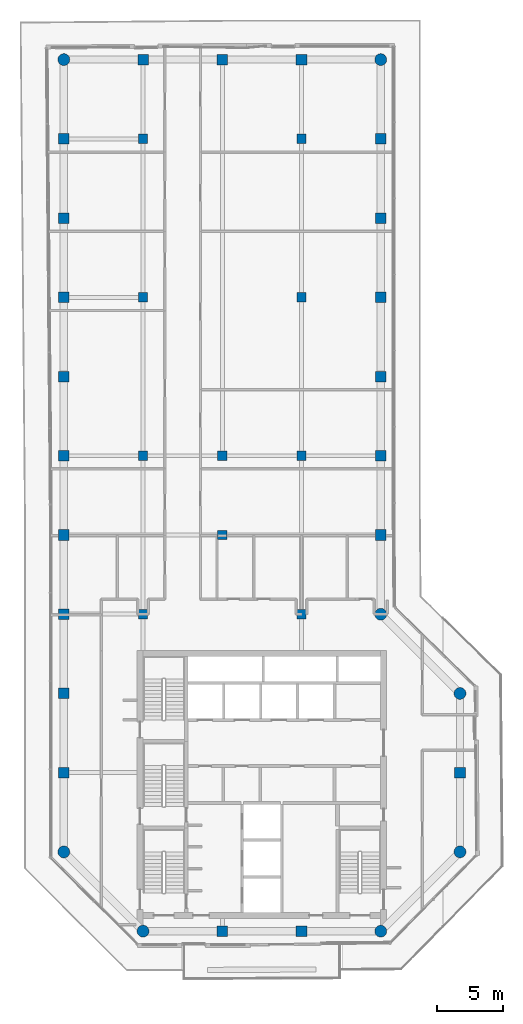
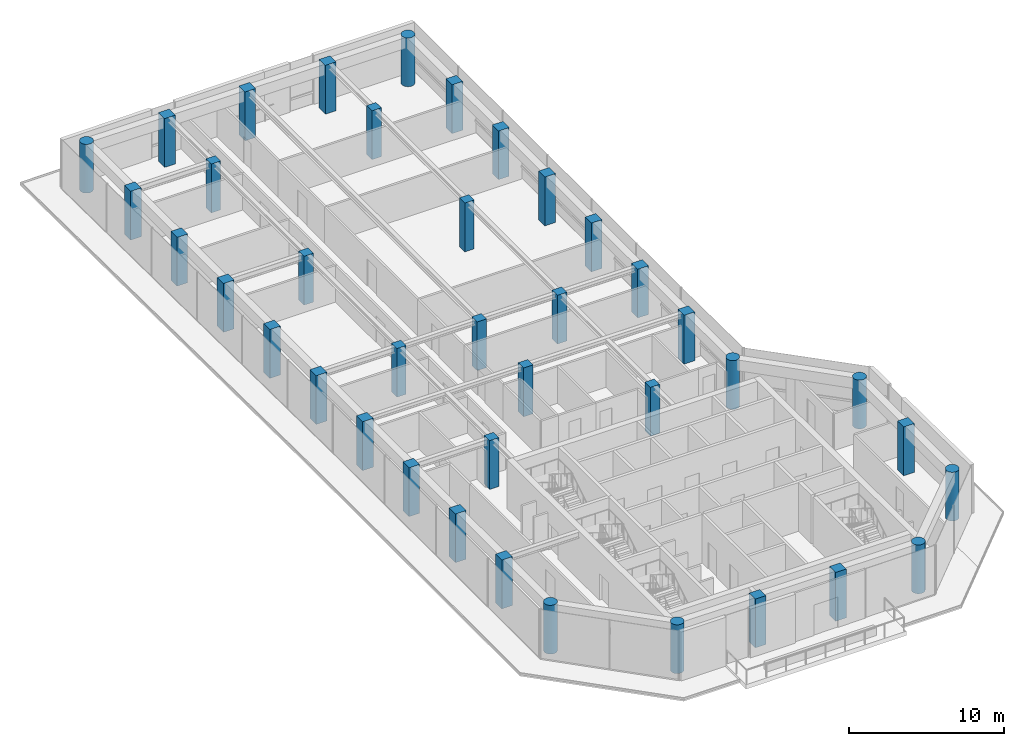
# One storey, part 1 of 19: 39 columns.
"""IFC4 building model written with IfcOpenShell, lengths in metres."""

from ifc_helpers import new_model, si_unit, direction, frame, origin, origin_2d, place, context, subcontext, project, spatial, rectangle, circle, extrude, material, material_profile, profile_set, type_object, element, save


model = new_model("IFC4")

# Units and contexts
model_context = context("Model", 3, precision=1e-05, world=origin(), true_north=direction((0.0, 1.0)))
body_context = subcontext(model_context, "Body", "Model", "MODEL_VIEW")
ifc_project = project(units=[si_unit("LENGTHUNIT", "METRE"), si_unit("AREAUNIT", "SQUARE_METRE"), si_unit("VOLUMEUNIT", "CUBIC_METRE"), si_unit("PLANEANGLEUNIT", "RADIAN"), si_unit("MASSUNIT", "GRAM", prefix="KILO")], contexts=[model_context])

# Site, building, storey
site_placement = place(None, origin())
site = spatial("IfcSite", under=ifc_project, at=site_placement, CompositionType="ELEMENT")
building_placement = place(site_placement, origin())
building = spatial("IfcBuilding", under=site, at=building_placement, Name="Welwitschia Terrace Campus", CompositionType="ELEMENT")
storey_placement = place(building_placement, frame((0.0, 0.0, 226.39990234375)))
storey = spatial("IfcBuildingStorey", under=building, at=storey_placement, Name="L50", CompositionType="ELEMENT", Elevation=226.39990234375)

# Columns
ifc_material_1 = material(Name="Concrete C50/60", Category="concrete")
ifc_material_profile_1 = material_profile(ifc_material_1, circle(Radius=0.449951171875, at=origin_2d()))
ifc_profile_set_1 = profile_set([ifc_material_profile_1], Name="Concrete C50/60")
column_type_1 = type_object("IfcColumnType", Name="Corner column 900 dia", PredefinedType="COLUMN", material=ifc_profile_set_1)
for number, where, z_axis, x_axis, name in (
    (1, (0.0, 10.0, 0.0), (0.0, 0.0, 1.0), (1.0, 0.0, 0.0), "Column C32"),
    (2, (0.0, 70.0, 0.0), (0.0, 0.0, 1.0), (1.0, 0.0, 0.0), "Column C32"),
    (3, (6.0, 4.0, 0.0), (0.0, 0.0, 1.0), (1.0, 0.0, 0.0), "Column C32"),
    (4, (24.0, 4.0, 0.0), (0.0, 0.0, 1.0), (1.0, 0.0, 0.0), "Column C32"),
    (5, (24.0, 28.0, 0.0), (0.0, 0.0, 1.0), (1.0, 0.0, 0.0), "Column C32"),
    (6, (24.0, 70.0, 0.0), (0.0, 0.0, 1.0), (1.0, 0.0, 0.0), "Column C32"),
    (7, (30.0, 10.0, 0.0), (0.0, 0.0, 1.0), (1.0, 0.0, 0.0), "Column C32"),
    (8, (30.0, 22.0, 0.0), (0.0, 0.0, 1.0), (1.0, 0.0, 0.0), "Column C32"),
):
    element("IfcColumn", number, at=place(storey_placement, frame(where, z_axis=z_axis, x_axis=x_axis)), inside=storey, type_object=column_type_1, Name=name, PredefinedType="COLUMN", context=body_context, shape_type="SweptSolid", body=[
        extrude(circle(Radius=0.449951171875, at=origin_2d()), origin(), (0.0, 0.0, 1.0), 3.85009765625),
    ])
ifc_material_2 = material(Name="Concrete C50/60", Category="concrete")
ifc_material_profile_2 = material_profile(ifc_material_2, rectangle(XDim=0.699951171875, YDim=0.699951171875, at=origin_2d()))
ifc_profile_set_2 = profile_set([ifc_material_profile_2], Name="Concrete C50/60")
column_type_2 = type_object("IfcColumnType", Name="Interior column 700x700", PredefinedType="COLUMN", material=ifc_profile_set_2)
for number, where, z_axis, x_axis, name in (
    (9, (6.0, 28.0, 0.0), (0.0, 0.0, 1.0), (1.0, 0.0, 0.0), "Column C34"),
    (10, (6.0, 40.0, 0.0), (0.0, 0.0, 1.0), (1.0, 0.0, 0.0), "Column C34"),
    (11, (6.0, 52.0, 0.0), (0.0, 0.0, 1.0), (1.0, 0.0, 0.0), "Column C34"),
    (12, (6.0, 64.0, 0.0), (0.0, 0.0, 1.0), (1.0, 0.0, 0.0), "Column C34"),
    (13, (12.0, 34.0, 0.0), (0.0, 0.0, 1.0), (1.0, 0.0, 0.0), "Column C34"),
    (14, (12.0, 40.0, 0.0), (0.0, 0.0, 1.0), (1.0, 0.0, 0.0), "Column C34"),
    (15, (18.0, 28.0, 0.0), (0.0, 0.0, 1.0), (1.0, 0.0, 0.0), "Column C34"),
    (16, (18.0, 40.0, 0.0), (0.0, 0.0, 1.0), (1.0, 0.0, 0.0), "Column C34"),
    (17, (18.0, 52.0, 0.0), (0.0, 0.0, 1.0), (1.0, 0.0, 0.0), "Column C34"),
    (18, (18.0, 64.0, 0.0), (0.0, 0.0, 1.0), (1.0, 0.0, 0.0), "Column C34"),
):
    element("IfcColumn", number, at=place(storey_placement, frame(where, z_axis=z_axis, x_axis=x_axis)), inside=storey, type_object=column_type_2, Name=name, PredefinedType="COLUMN", context=body_context, shape_type="SweptSolid", body=[
        extrude(rectangle(XDim=0.699951171875, YDim=0.699951171875, at=origin_2d()), origin(), (0.0, 0.0, 1.0), 3.85009765625),
    ])
ifc_material_3 = material(Name="Concrete C50/60", Category="concrete")
ifc_material_profile_3 = material_profile(ifc_material_3, rectangle(XDim=0.800048828125, YDim=0.800048828125, at=origin_2d()))
ifc_profile_set_3 = profile_set([ifc_material_profile_3], Name="Concrete C50/60")
column_type_3 = type_object("IfcColumnType", Name="Ring column 800x800", PredefinedType="COLUMN", material=ifc_profile_set_3)
for number, where, z_axis, x_axis, name in (
    (19, (0.0, 16.0, 0.0), (0.0, 0.0, 1.0), (1.0, 0.0, 0.0), "Column C33"),
    (20, (0.0, 22.0, 0.0), (0.0, 0.0, 1.0), (1.0, 0.0, 0.0), "Column C33"),
    (21, (0.0, 28.0, 0.0), (0.0, 0.0, 1.0), (1.0, 0.0, 0.0), "Column C33"),
    (22, (0.0, 34.0, 0.0), (0.0, 0.0, 1.0), (1.0, 0.0, 0.0), "Column C33"),
    (23, (0.0, 40.0, 0.0), (0.0, 0.0, 1.0), (1.0, 0.0, 0.0), "Column C33"),
    (24, (0.0, 46.0, 0.0), (0.0, 0.0, 1.0), (1.0, 0.0, 0.0), "Column C33"),
    (25, (0.0, 52.0, 0.0), (0.0, 0.0, 1.0), (1.0, 0.0, 0.0), "Column C33"),
    (26, (0.0, 58.0, 0.0), (0.0, 0.0, 1.0), (1.0, 0.0, 0.0), "Column C33"),
    (27, (0.0, 64.0, 0.0), (0.0, 0.0, 1.0), (1.0, 0.0, 0.0), "Column C33"),
    (28, (6.0, 70.0, 0.0), (0.0, 0.0, 1.0), (1.0, 0.0, 0.0), "Column C33"),
    (29, (12.0, 4.0, 0.0), (0.0, 0.0, 1.0), (1.0, 0.0, 0.0), "Column C33"),
    (30, (12.0, 70.0, 0.0), (0.0, 0.0, 1.0), (1.0, 0.0, 0.0), "Column C33"),
    (31, (18.0, 4.0, 0.0), (0.0, 0.0, 1.0), (1.0, 0.0, 0.0), "Column C33"),
    (32, (18.0, 70.0, 0.0), (0.0, 0.0, 1.0), (1.0, 0.0, 0.0), "Column C33"),
    (33, (24.0, 34.0, 0.0), (0.0, 0.0, 1.0), (1.0, 0.0, 0.0), "Column C33"),
    (34, (24.0, 40.0, 0.0), (0.0, 0.0, 1.0), (1.0, 0.0, 0.0), "Column C33"),
    (35, (24.0, 46.0, 0.0), (0.0, 0.0, 1.0), (1.0, 0.0, 0.0), "Column C33"),
    (36, (24.0, 52.0, 0.0), (0.0, 0.0, 1.0), (1.0, 0.0, 0.0), "Column C33"),
    (37, (24.0, 58.0, 0.0), (0.0, 0.0, 1.0), (1.0, 0.0, 0.0), "Column C33"),
    (38, (24.0, 64.0, 0.0), (0.0, 0.0, 1.0), (1.0, 0.0, 0.0), "Column C33"),
    (39, (30.0, 16.0, 0.0), (0.0, 0.0, 1.0), (1.0, 0.0, 0.0), "Column C33"),
):
    element("IfcColumn", number, at=place(storey_placement, frame(where, z_axis=z_axis, x_axis=x_axis)), inside=storey, type_object=column_type_3, Name=name, PredefinedType="COLUMN", context=body_context, shape_type="SweptSolid", body=[
        extrude(rectangle(XDim=0.800048828125, YDim=0.800048828125, at=origin_2d()), origin(), (0.0, 0.0, 1.0), 3.85009765625),
    ])

save(model, "model.ifc")
